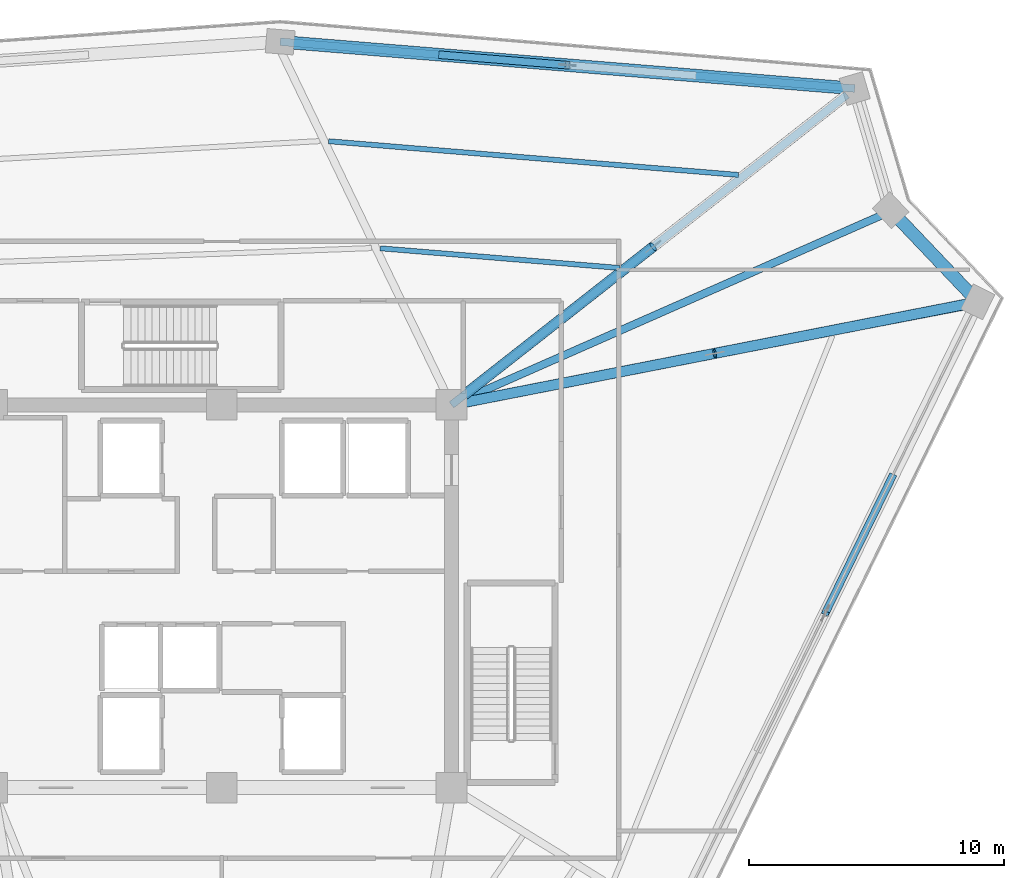
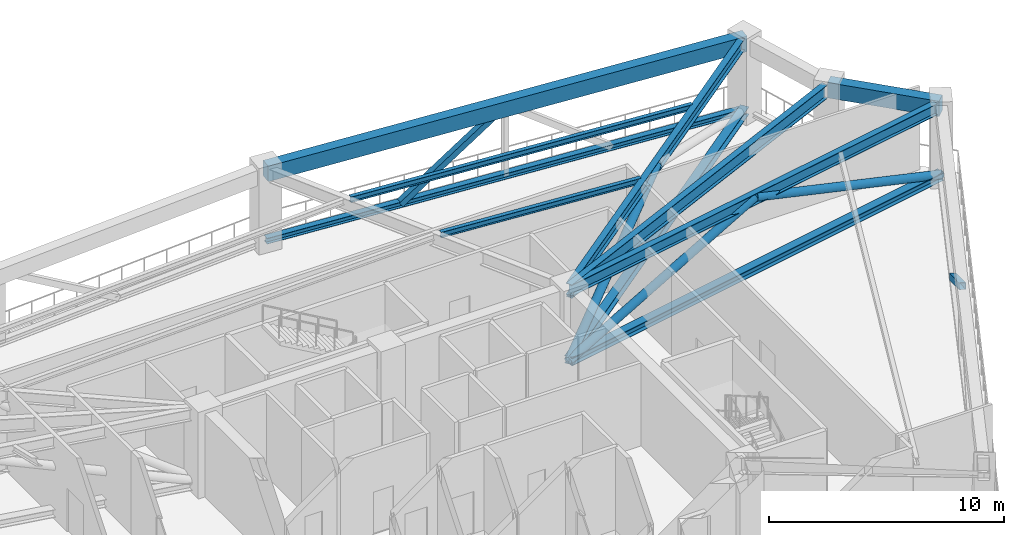
# One storey, part 9 of 22: 8 members, 7 beams.
"""IFC4 building model written with IfcOpenShell, lengths in metres."""

from ifc_helpers import new_model, si_unit, direction, frame, origin, origin_2d, place, context, subcontext, project, spatial, rectangle, hollow_rectangle, hollow_circle, i_section, extrude, source, transform, mapped, material, material_profile, profile_set, type_object, element, save


model = new_model("IFC4")

# Units and contexts
model_context = context("Model", 3, precision=1e-05, world=origin(), true_north=direction((0.0, 1.0)))
body_context = subcontext(model_context, "Body", "Model", "MODEL_VIEW")
ifc_project = project(units=[si_unit("LENGTHUNIT", "METRE"), si_unit("AREAUNIT", "SQUARE_METRE"), si_unit("VOLUMEUNIT", "CUBIC_METRE"), si_unit("PLANEANGLEUNIT", "RADIAN"), si_unit("MASSUNIT", "GRAM", prefix="KILO")], contexts=[model_context])

# Site, building, storey
site_placement = place(None, origin())
site = spatial("IfcSite", under=ifc_project, at=site_placement, CompositionType="ELEMENT")
building_placement = place(site_placement, origin())
building = spatial("IfcBuilding", under=site, at=building_placement, Name="Liaohun Quay Tower", CompositionType="ELEMENT")
storey_placement = place(building_placement, frame((0.0, 0.0, 324.0)))
storey = spatial("IfcBuildingStorey", under=building, at=storey_placement, Name="L84", CompositionType="ELEMENT", Elevation=324.0)

# Beams
ifc_material_1 = material(Name="Precast concrete C50", Category="concrete")
ifc_material_profile_1 = material_profile(ifc_material_1, rectangle(XDim=0.5, YDim=0.800048828125, at=origin_2d()), Name="RC500x800")
ifc_profile_set_1 = profile_set([ifc_material_profile_1], Name="Precast concrete C50")
beam_type_1 = type_object("IfcBeamType", Name="BM-SPD-Z4", PredefinedType="SPANDREL", material=ifc_profile_set_1)
shared_shape_1 = source(origin(), body_context, "Body", "SweptSolid", [
    extrude(rectangle(XDim=0.5, YDim=0.800048828125, at=origin_2d()), origin(), (0.0, 0.0, 1.0), 22.5947265625),
])
beam_1_placement = place(storey_placement, frame((62.284912109375, 75.73388671875, 3.919921875), z_axis=(0.996696835894, -0.081212174699, 0.0), x_axis=(0.081212174699, 0.996696835894, 0.0)))
element("IfcBeam", 1, at=beam_1_placement, inside=storey, type_object=beam_type_1, Name="L84 Precast Spandrel Beam PC06-PC07", PredefinedType="SPANDREL", context=body_context, shape_type="MappedRepresentation", body=[
    mapped(shared_shape_1, transform((0.0, 0.0, 0.0), x_axis=(1.0, 0.0, 0.0), y_axis=(0.0, 1.0, 0.0), z_axis=(0.0, 0.0, 1.0), scale=1.0)),
])
shared_shape_2 = source(origin(), body_context, "Body", "SweptSolid", [
    extrude(rectangle(XDim=0.5, YDim=0.800048828125, at=origin_2d()), origin(), (0.0, 0.0, 1.0), 4.961181640625),
])
beam_2_placement = place(storey_placement, frame((86.2099609375, 69.132080078125, 3.919921875), z_axis=(0.689345449707, -0.724432778779, 0.0), x_axis=(0.724432778779, 0.689345449707, 0.0)))
element("IfcBeam", 2, at=beam_2_placement, inside=storey, type_object=beam_type_1, Name="L84 Precast Spandrel Beam PC08-PC09", PredefinedType="SPANDREL", context=body_context, shape_type="MappedRepresentation", body=[
    mapped(shared_shape_2, transform((0.0, 0.0, 0.0), x_axis=(1.0, 0.0, 0.0), y_axis=(0.0, 1.0, 0.0), z_axis=(0.0, 0.0, 1.0), scale=1.0)),
])
ifc_material_2 = material(Name="Steel Q355D", Category="steel")
ifc_material_profile_2 = material_profile(ifc_material_2, i_section(OverallWidth=0.300048828125, OverallDepth=0.699951171875, WebThickness=0.012939453125, FlangeThickness=0.02392578125, at=origin_2d()), Name="HN700x300x13x24")
ifc_profile_set_2 = profile_set([ifc_material_profile_2], Name="Steel Q355D")
beam_type_2 = type_object("IfcBeamType", Name="BM-RAD-U1", PredefinedType="BEAM", material=ifc_profile_set_2)
shared_shape_3 = source(origin(), body_context, "Body", "SweptSolid", [
    extrude(i_section(OverallWidth=0.300048828125, OverallDepth=0.699951171875, WebThickness=0.012939453125, FlangeThickness=0.02392578125, at=origin_2d()), origin(), (0.0, 0.0, 1.0), 18.460205078125),
])
beam_3_placement = place(storey_placement, frame((69.0, 61.5, 3.969970703125), z_axis=(0.91499707752, 0.403460466625, 0.0), x_axis=(-0.403460466625, 0.91499707752, 0.0)))
element("IfcBeam", 3, at=beam_3_placement, inside=storey, type_object=beam_type_2, Name="L84 Radial Primary Girder CC4-PC08", PredefinedType="BEAM", context=body_context, shape_type="MappedRepresentation", body=[
    mapped(shared_shape_3, transform((0.0, 0.0, 0.0), x_axis=(1.0, 0.0, 0.0), y_axis=(0.0, 1.0, 0.0), z_axis=(0.0, 0.0, 1.0), scale=1.0)),
])
ifc_material_profile_3 = material_profile(ifc_material_2, i_section(OverallWidth=0.300048828125, OverallDepth=0.587890625, WebThickness=0.011962890625, FlangeThickness=0.02001953125, at=origin_2d()), Name="HM588x300x12x20")
ifc_profile_set_3 = profile_set([ifc_material_profile_3], Name="Steel Q355D")
beam_type_3 = type_object("IfcBeamType", Name="BM-RAD-U2", PredefinedType="BEAM", material=ifc_profile_set_3)
shared_shape_4 = source(origin(), body_context, "Body", "SweptSolid", [
    extrude(i_section(OverallWidth=0.300048828125, OverallDepth=0.587890625, WebThickness=0.011962890625, FlangeThickness=0.02001953125, at=origin_2d()), origin(), (0.0, 0.0, 1.0), 19.699951171875),
])
beam_4_placement = place(storey_placement, frame((69.0, 61.5, 4.02587890625), z_axis=(0.786955241021, 0.617010087948, 0.0), x_axis=(-0.617010087948, 0.786955241021, 0.0)))
element("IfcBeam", 4, at=beam_4_placement, inside=storey, type_object=beam_type_3, Name="L84 Radial Primary Girder CC4-PC07", PredefinedType="BEAM", context=body_context, shape_type="MappedRepresentation", body=[
    mapped(shared_shape_4, transform((0.0, 0.0, 0.0), x_axis=(1.0, 0.0, 0.0), y_axis=(0.0, 1.0, 0.0), z_axis=(0.0, 0.0, 1.0), scale=1.0)),
])
shared_shape_5 = source(origin(), body_context, "Body", "SweptSolid", [
    extrude(i_section(OverallWidth=0.300048828125, OverallDepth=0.587890625, WebThickness=0.011962890625, FlangeThickness=0.02001953125, at=origin_2d()), origin(), (0.0, 0.0, 1.0), 20.6396484375),
])
beam_5_placement = place(storey_placement, frame((69.0, 61.5, 4.02587890625), z_axis=(0.981995477195, 0.188904427604, 0.0), x_axis=(-0.188904427604, 0.981995477195, 0.0)))
element("IfcBeam", 5, at=beam_5_placement, inside=storey, type_object=beam_type_3, Name="L84 Radial Primary Girder CC4-PC09", PredefinedType="BEAM", context=body_context, shape_type="MappedRepresentation", body=[
    mapped(shared_shape_5, transform((0.0, 0.0, 0.0), x_axis=(1.0, 0.0, 0.0), y_axis=(0.0, 1.0, 0.0), z_axis=(0.0, 0.0, 1.0), scale=1.0)),
])
ifc_material_profile_4 = material_profile(ifc_material_2, i_section(OverallWidth=0.199951171875, OverallDepth=0.2939453125, WebThickness=0.008056640625, FlangeThickness=0.011962890625, at=origin_2d()), Name="HM294x200x8x12")
ifc_profile_set_4 = profile_set([ifc_material_profile_4], Name="Steel Q355D")
beam_type_4 = type_object("IfcBeamType", Name="BM-SEC-J4", PredefinedType="JOIST", material=ifc_profile_set_4)
shared_shape_6 = source(origin(), body_context, "Body", "SweptSolid", [
    extrude(i_section(OverallWidth=0.199951171875, OverallDepth=0.2939453125, WebThickness=0.008056640625, FlangeThickness=0.011962890625, at=origin_2d()), origin(), (0.0, 0.0, 1.0), 9.42578125),
])
beam_6_placement = place(storey_placement, frame((66.20703125, 67.638916015625, 4.173095703125), z_axis=(0.996632027891, -0.08200366444, 0.0), x_axis=(0.08200366444, 0.996632027891, 0.0)))
element("IfcBeam", 6, at=beam_6_placement, inside=storey, type_object=beam_type_4, Name="L84 Wing Secondary Floor Joist SJ-08", PredefinedType="JOIST", context=body_context, shape_type="MappedRepresentation", body=[
    mapped(shared_shape_6, transform((0.0, 0.0, 0.0), x_axis=(1.0, 0.0, 0.0), y_axis=(0.0, 1.0, 0.0), z_axis=(0.0, 0.0, 1.0), scale=1.0)),
])
shared_shape_7 = source(origin(), body_context, "Body", "SweptSolid", [
    extrude(i_section(OverallWidth=0.199951171875, OverallDepth=0.2939453125, WebThickness=0.008056640625, FlangeThickness=0.011962890625, at=origin_2d()), origin(), (0.0, 0.0, 1.0), 16.1220703125),
])
beam_7_placement = place(storey_placement, frame((64.18408203125, 71.8349609375, 4.173095703125), z_axis=(0.99663230945, -0.082000242436, 0.0), x_axis=(0.082000242436, 0.99663230945, 0.0)))
element("IfcBeam", 7, at=beam_7_placement, inside=storey, type_object=beam_type_4, Name="L84 Wing Secondary Floor Joist SJ-09", PredefinedType="JOIST", context=body_context, shape_type="MappedRepresentation", body=[
    mapped(shared_shape_7, transform((0.0, 0.0, 0.0), x_axis=(1.0, 0.0, 0.0), y_axis=(0.0, 1.0, 0.0), z_axis=(0.0, 0.0, 1.0), scale=1.0)),
])

# Members
ifc_material_3 = material(Name="Steel Q420D", Category="steel")
ifc_material_profile_5 = material_profile(ifc_material_3, i_section(OverallWidth=0.407958984375, OverallDepth=0.39990234375, WebThickness=0.02099609375, FlangeThickness=0.02099609375, at=origin_2d()), Name="HW400x408x21x21")
ifc_profile_set_5 = profile_set([ifc_material_profile_5], Name="Steel Q420D")
member_type_1 = type_object("IfcMemberType", Name="MEM-OUT-CH2", PredefinedType="CHORD", material=ifc_profile_set_5)
shared_shape_8 = source(origin(), body_context, "Body", "SweptSolid", [
    extrude(i_section(OverallWidth=0.407958984375, OverallDepth=0.39990234375, WebThickness=0.02099609375, FlangeThickness=0.02099609375, at=origin_2d()), origin(), (0.0, 0.0, 1.0), 20.088134765625),
])
member_1_placement = place(storey_placement, frame((69.0, 61.5, 0.35009765625), z_axis=(0.786783285723, 0.617229342551, 0.0), x_axis=(-0.617229342551, 0.786783285723, 0.0)))
element("IfcMember", 8, at=member_1_placement, inside=storey, type_object=member_type_1, Name="L84 Outrigger Bottom Chord OC-04", PredefinedType="CHORD", context=body_context, shape_type="MappedRepresentation", body=[
    mapped(shared_shape_8, transform((0.0, 0.0, 0.0), x_axis=(1.0, 0.0, 0.0), y_axis=(0.0, 1.0, 0.0), z_axis=(0.0, 0.0, 1.0), scale=1.0)),
])
ifc_material_profile_6 = material_profile(ifc_material_3, hollow_circle(Radius=0.202880859375, WallThickness=0.01611328125, at=origin_2d()), Name="CHS406x16")
ifc_profile_set_6 = profile_set([ifc_material_profile_6], Name="Steel Q420D")
member_type_2 = type_object("IfcMemberType", Name="MEM-OUT-DG2", PredefinedType="BRACE", material=ifc_profile_set_6)
shared_shape_9 = source(origin(), body_context, "Body", "SweptSolid", [
    extrude(hollow_circle(Radius=0.202880859375, WallThickness=0.01611328125, at=origin_2d()), origin(), (0.0, 0.0, 1.0), 10.6943359375),
])
member_2_placement = place(storey_placement, frame((69.0, 61.5, 0.35009765625), z_axis=(0.739004473918, 0.579747879742, 0.343168739054), x_axis=(-0.61722992567, 0.786782828268, 0.0)))
element("IfcMember", 9, at=member_2_placement, inside=storey, type_object=member_type_2, Name="L84 Outrigger Diagonal OD-04A", PredefinedType="BRACE", context=body_context, shape_type="MappedRepresentation", body=[
    mapped(shared_shape_9, transform((0.0, 0.0, 0.0), x_axis=(1.0, 0.0, 0.0), y_axis=(0.0, 1.0, 0.0), z_axis=(0.0, 0.0, 1.0), scale=1.0)),
])
shared_shape_10 = source(origin(), body_context, "Body", "SweptSolid", [
    extrude(i_section(OverallWidth=0.407958984375, OverallDepth=0.39990234375, WebThickness=0.02099609375, FlangeThickness=0.02099609375, at=origin_2d()), origin(), (0.0, 0.0, 1.0), 21.021484375),
])
member_3_placement = place(storey_placement, frame((69.0, 61.5, 0.35009765625), z_axis=(0.981376475409, 0.192094282879, 0.0), x_axis=(-0.192094282879, 0.981376475409, 0.0)))
element("IfcMember", 10, at=member_3_placement, inside=storey, type_object=member_type_1, Name="L84 Outrigger Bottom Chord OC-05", PredefinedType="CHORD", context=body_context, shape_type="MappedRepresentation", body=[
    mapped(shared_shape_10, transform((0.0, 0.0, 0.0), x_axis=(1.0, 0.0, 0.0), y_axis=(0.0, 1.0, 0.0), z_axis=(0.0, 0.0, 1.0), scale=1.0)),
])
shared_shape_11 = source(origin(), body_context, "Body", "SweptSolid", [
    extrude(hollow_circle(Radius=0.202880859375, WallThickness=0.01611328125, at=origin_2d()), origin(), (0.0, 0.0, 1.0), 11.133056640625),
])
for number, where, z_axis, x_axis, name in (
    (11, (69.0, 61.5, 0.35009765625), (0.926522517084, 0.181357188551, 0.329644650339), (-0.192094282879, 0.981376475409, 0.0), "L84 Outrigger Diagonal OD-05A"),
    (12, (79.31494140625, 63.51904296875, 4.02001953125), (0.926522517084, 0.181357188551, -0.329644650339), (-0.192094282879, 0.981376475409, 0.0), "L84 Outrigger Diagonal OD-05B"),
):
    element("IfcMember", number, at=place(storey_placement, frame(where, z_axis=z_axis, x_axis=x_axis)), inside=storey, type_object=member_type_2, Name=name, PredefinedType="BRACE", context=body_context, shape_type="MappedRepresentation", body=[
        mapped(shared_shape_11, transform((0.0, 0.0, 0.0), x_axis=(1.0, 0.0, 0.0), y_axis=(0.0, 1.0, 0.0), z_axis=(0.0, 0.0, 1.0), scale=1.0)),
    ])
ifc_material_profile_7 = material_profile(ifc_material_2, hollow_rectangle(XDim=0.300048828125, YDim=0.300048828125, WallThickness=0.013916015625, at=origin_2d()), Name="SHS300x300x14")
ifc_profile_set_7 = profile_set([ifc_material_profile_7], Name="Steel Q355D")
member_type_3 = type_object("IfcMemberType", Name="MEM-BLT-DG3", PredefinedType="BRACE", material=ifc_profile_set_7)
shared_shape_12 = source(origin(), body_context, "Body", "SweptSolid", [
    extrude(hollow_rectangle(XDim=0.300048828125, YDim=0.300048828125, WallThickness=0.013916015625, at=origin_2d()), origin(), (0.0, 0.0, 1.0), 6.178466796875),
])
member_4_placement = place(storey_placement, frame((68.591064453125, 75.219970703125, 0.35009765625), z_axis=(0.801806188578, -0.065397922335, 0.59399490546), x_axis=(0.08129329842, 0.996690222502, 0.0)))
element("IfcMember", 13, at=member_4_placement, inside=storey, type_object=member_type_3, Name="L84 Belt Truss Diagonal BD-04A", PredefinedType="BRACE", context=body_context, shape_type="MappedRepresentation", body=[
    mapped(shared_shape_12, transform((0.0, 0.0, 0.0), x_axis=(1.0, 0.0, 0.0), y_axis=(0.0, 1.0, 0.0), z_axis=(0.0, 0.0, 1.0), scale=1.0)),
])
ifc_material_profile_8 = material_profile(ifc_material_2, i_section(OverallWidth=0.300048828125, OverallDepth=0.300048828125, WebThickness=0.010009765625, FlangeThickness=0.014892578125, at=origin_2d()), Name="HW300x300x10x15")
ifc_profile_set_8 = profile_set([ifc_material_profile_8], Name="Steel Q355D")
member_type_4 = type_object("IfcMemberType", Name="MEM-BLT-CHD", PredefinedType="CHORD", material=ifc_profile_set_8)
shared_shape_13 = source(origin(), body_context, "Body", "SweptSolid", [
    extrude(i_section(OverallWidth=0.300048828125, OverallDepth=0.300048828125, WebThickness=0.010009765625, FlangeThickness=0.014892578125, at=origin_2d()), origin(), (0.0, 0.0, 1.0), 22.5947265625),
])
member_5_placement = place(storey_placement, frame((62.284912109375, 75.73388671875, 0.35009765625), z_axis=(0.996696835894, -0.081212174699, 0.0), x_axis=(0.081212174699, 0.996696835894, 0.0)))
element("IfcMember", 14, at=member_5_placement, inside=storey, type_object=member_type_4, Name="L84 Belt Truss Bottom Chord BC-1-04", PredefinedType="CHORD", context=body_context, shape_type="MappedRepresentation", body=[
    mapped(shared_shape_13, transform((0.0, 0.0, 0.0), x_axis=(1.0, 0.0, 0.0), y_axis=(0.0, 1.0, 0.0), z_axis=(0.0, 0.0, 1.0), scale=1.0)),
])
shared_shape_14 = source(origin(), body_context, "Body", "SweptSolid", [
    extrude(hollow_rectangle(XDim=0.300048828125, YDim=0.300048828125, WallThickness=0.013916015625, at=origin_2d()), origin(), (0.0, 0.0, 1.0), 7.0107421875),
])
member_6_placement = place(storey_placement, frame((86.283935546875, 58.7099609375, 0.35009765625), z_axis=(-0.374976441761, -0.765100984578, 0.523462655327), x_axis=(0.897954609474, -0.440088081326, 0.0)))
element("IfcMember", 15, at=member_6_placement, inside=storey, type_object=member_type_3, Name="L84 Belt Truss Diagonal BD-05A", PredefinedType="BRACE", context=body_context, shape_type="MappedRepresentation", body=[
    mapped(shared_shape_14, transform((0.0, 0.0, 0.0), x_axis=(1.0, 0.0, 0.0), y_axis=(0.0, 1.0, 0.0), z_axis=(0.0, 0.0, 1.0), scale=1.0)),
])

save(model, "model.ifc")
